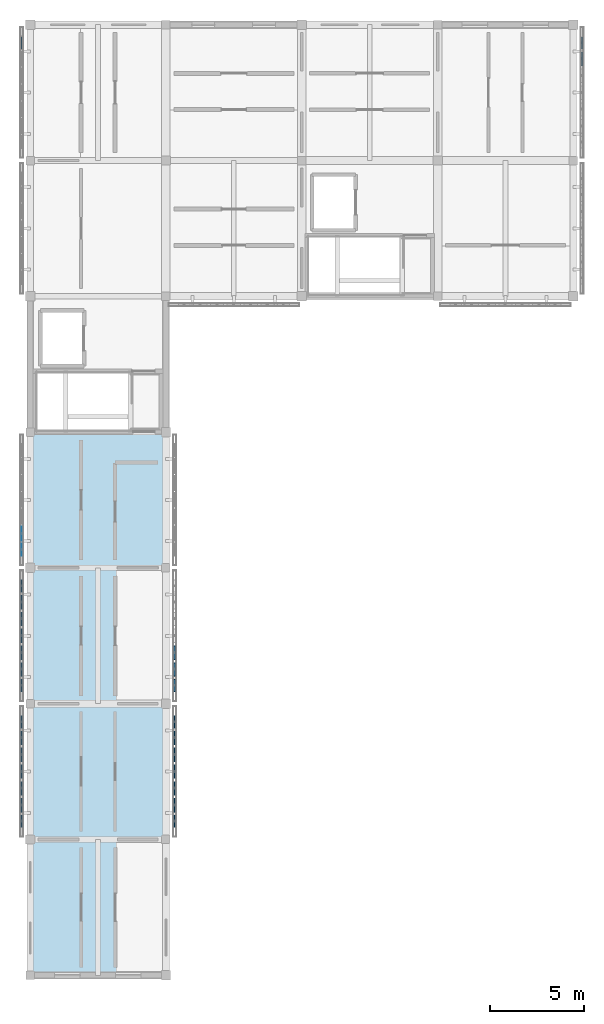
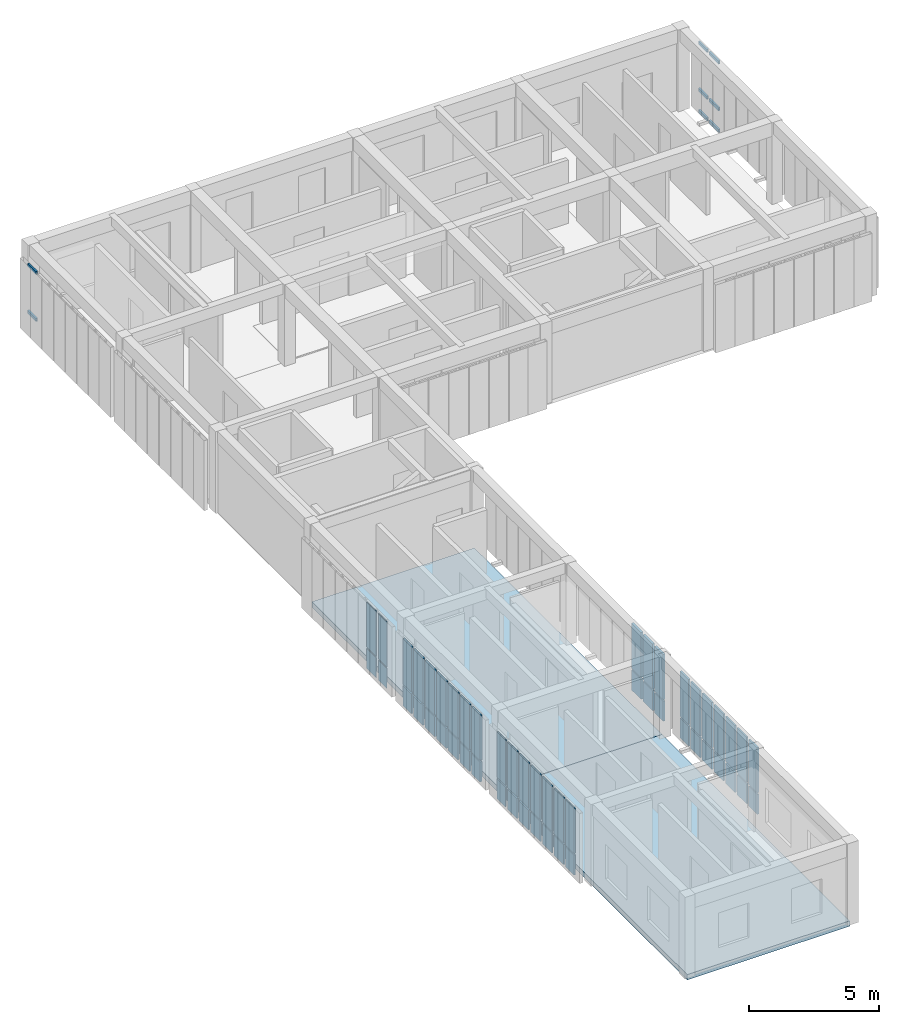
# One storey, part 7 of 14: 52 plates, 8 members, 2 slabs, 7 elements without a shape of their own.
"""IFC4 building model written with IfcOpenShell, lengths in metres."""

from ifc_helpers import new_model, si_unit, direction, frame, origin, origin_2d, place, context, subcontext, project, spatial, polyline, rectangle, hollow_rectangle, outline, extrude, material, layer, layer_set, material_profile, profile_set, type_object, element, aggregate, save


model = new_model("IFC4")

# Units and contexts
model_context = context("Model", 3, precision=1e-05, world=origin(), true_north=direction((0.0, 1.0)))
body_context = subcontext(model_context, "Body", "Model", "MODEL_VIEW")
ifc_project = project(units=[si_unit("LENGTHUNIT", "METRE"), si_unit("AREAUNIT", "SQUARE_METRE"), si_unit("VOLUMEUNIT", "CUBIC_METRE"), si_unit("PLANEANGLEUNIT", "RADIAN"), si_unit("MASSUNIT", "GRAM", prefix="KILO")], contexts=[model_context])

# Site, building, storey
site_placement = place(None, origin())
site = spatial("IfcSite", under=ifc_project, at=site_placement, CompositionType="ELEMENT")
building_placement = place(site_placement, origin())
building = spatial("IfcBuilding", under=site, at=building_placement, Name="Aldebral Square Health Centre", CompositionType="ELEMENT")
storey_placement = place(building_placement, frame((0.0, 0.0, 21.60009765625)))
storey = spatial("IfcBuildingStorey", under=building, at=storey_placement, Name="L05", CompositionType="ELEMENT", Elevation=21.60009765625)

# Curtain wall, members
ifc_material_1 = material(Name="Aluminium and low-E solar glass", Category="aluminium")
curtain_wall_type = type_object("IfcCurtainWallType", Name="CW-FIN-SYS", PredefinedType="USERDEFINED", material=ifc_material_1)
curtain_wall_1_placement = place(storey_placement, origin())
curtain_wall_1 = element("IfcCurtainWall", 1, at=curtain_wall_1_placement, inside=storey, type_object=curtain_wall_type, Name="L05 V4 finned curtain wall L05-V4-00-15-W", ObjectType="SOLAR_CURTAIN_WALL", PredefinedType="USERDEFINED")
ifc_material_2 = material(Name="Anodised aluminium transom", Category="aluminium")
ifc_material_profile = material_profile(ifc_material_2, hollow_rectangle(XDim=0.074951171875, YDim=0.14990234375, WallThickness=0.00390625, at=origin_2d()), Name="CWT 75x150x4")
ifc_profile_set = profile_set([ifc_material_profile], Name="Anodised aluminium transom")
member_type = type_object("IfcMemberType", Name="CWT-STD", PredefinedType="USERDEFINED", material=ifc_profile_set)
member_1_placement = place(storey_placement, frame((-0.4599609375, 114.56005859375, 1.0498046875), z_axis=(0.0, -1.0, 0.0), x_axis=(1.0, 0.0, 0.0)))
member_1 = element("IfcMember", 2, at=member_1_placement, type_object=member_type, Name="CW1 transom 1.2", ObjectType="TRANSOM", PredefinedType="USERDEFINED", context=body_context, shape_type="SweptSolid", body=[
    extrude(hollow_rectangle(XDim=0.074951171875, YDim=0.14990234375, WallThickness=0.00390625, at=origin_2d()), origin(), (0.0, 0.0, 1.0), 0.6513671875),
])
member_2_placement = place(storey_placement, frame((-0.4599609375, 114.56005859375, 3.242431640625), z_axis=(0.0, -1.0, 0.0), x_axis=(1.0, 0.0, 0.0)))
member_2 = element("IfcMember", 3, at=member_2_placement, type_object=member_type, Name="CW1 transom 1.3", ObjectType="TRANSOM", PredefinedType="USERDEFINED", context=body_context, shape_type="SweptSolid", body=[
    extrude(hollow_rectangle(XDim=0.074951171875, YDim=0.14990234375, WallThickness=0.00390625, at=origin_2d()), origin(), (0.0, 0.0, 1.0), 0.6513671875),
])
aggregate(curtain_wall_1, [member_1, member_2])

curtain_wall_2_placement = place(storey_placement, origin())
curtain_wall_2 = element("IfcCurtainWall", 4, at=curtain_wall_2_placement, inside=storey, type_object=curtain_wall_type, Name="L05 V4 finned curtain wall L05-V4-03-15-E", ObjectType="SOLAR_CURTAIN_WALL", PredefinedType="USERDEFINED")
member_3_placement = place(storey_placement, frame((29.260009765625, 113.01708984375, 0.037353515625), z_axis=(0.0, 1.0, 0.0), x_axis=(-1.0, 0.0, 0.0)))
member_3 = element("IfcMember", 5, at=member_3_placement, type_object=member_type, Name="CW1 transom 6.1", ObjectType="TRANSOM", PredefinedType="USERDEFINED", context=body_context, shape_type="SweptSolid", body=[
    extrude(hollow_rectangle(XDim=0.074951171875, YDim=0.14990234375, WallThickness=0.00390625, at=origin_2d()), origin(), (0.0, 0.0, 1.0), 0.7314453125),
])
member_4_placement = place(storey_placement, frame((29.260009765625, 113.01708984375, 1.0498046875), z_axis=(0.0, 1.0, 0.0), x_axis=(-1.0, 0.0, 0.0)))
member_4 = element("IfcMember", 6, at=member_4_placement, type_object=member_type, Name="CW1 transom 6.2", ObjectType="TRANSOM", PredefinedType="USERDEFINED", context=body_context, shape_type="SweptSolid", body=[
    extrude(hollow_rectangle(XDim=0.074951171875, YDim=0.14990234375, WallThickness=0.00390625, at=origin_2d()), origin(), (0.0, 0.0, 1.0), 0.7314453125),
])
member_5_placement = place(storey_placement, frame((29.260009765625, 113.01708984375, 3.242431640625), z_axis=(0.0, 1.0, 0.0), x_axis=(-1.0, 0.0, 0.0)))
member_5 = element("IfcMember", 7, at=member_5_placement, type_object=member_type, Name="CW1 transom 6.3", ObjectType="TRANSOM", PredefinedType="USERDEFINED", context=body_context, shape_type="SweptSolid", body=[
    extrude(hollow_rectangle(XDim=0.074951171875, YDim=0.14990234375, WallThickness=0.00390625, at=origin_2d()), origin(), (0.0, 0.0, 1.0), 0.7314453125),
])
member_6_placement = place(storey_placement, frame((29.260009765625, 113.90869140625, 0.037353515625), z_axis=(0.0, 1.0, 0.0), x_axis=(-1.0, 0.0, 0.0)))
member_6 = element("IfcMember", 8, at=member_6_placement, type_object=member_type, Name="CW1 transom 7.1", ObjectType="TRANSOM", PredefinedType="USERDEFINED", context=body_context, shape_type="SweptSolid", body=[
    extrude(hollow_rectangle(XDim=0.074951171875, YDim=0.14990234375, WallThickness=0.00390625, at=origin_2d()), origin(), (0.0, 0.0, 1.0), 0.6513671875),
])
member_7_placement = place(storey_placement, frame((29.260009765625, 113.90869140625, 1.0498046875), z_axis=(0.0, 1.0, 0.0), x_axis=(-1.0, 0.0, 0.0)))
member_7 = element("IfcMember", 9, at=member_7_placement, type_object=member_type, Name="CW1 transom 7.2", ObjectType="TRANSOM", PredefinedType="USERDEFINED", context=body_context, shape_type="SweptSolid", body=[
    extrude(hollow_rectangle(XDim=0.074951171875, YDim=0.14990234375, WallThickness=0.00390625, at=origin_2d()), origin(), (0.0, 0.0, 1.0), 0.6513671875),
])
member_8_placement = place(storey_placement, frame((29.260009765625, 113.90869140625, 3.242431640625), z_axis=(0.0, 1.0, 0.0), x_axis=(-1.0, 0.0, 0.0)))
member_8 = element("IfcMember", 10, at=member_8_placement, type_object=member_type, Name="CW1 transom 7.3", ObjectType="TRANSOM", PredefinedType="USERDEFINED", context=body_context, shape_type="SweptSolid", body=[
    extrude(hollow_rectangle(XDim=0.074951171875, YDim=0.14990234375, WallThickness=0.00390625, at=origin_2d()), origin(), (0.0, 0.0, 1.0), 0.6513671875),
])
aggregate(curtain_wall_2, [member_3, member_4, member_5, member_6, member_7, member_8])

# Curtain wall, plates
curtain_wall_3_placement = place(storey_placement, origin())
curtain_wall_3 = element("IfcCurtainWall", 11, at=curtain_wall_3_placement, inside=storey, type_object=curtain_wall_type, Name="L05 V4 finned curtain wall L05-V4-00-12-W", ObjectType="SOLAR_CURTAIN_WALL", PredefinedType="USERDEFINED")
ifc_material_3 = material(Name="Solar-control low-E double glass", Category="glass")
ifc_layer_1 = layer(ifc_material_3, 0.02001953125, Name="Solar-control low-E double glass", Category="glass")
ifc_layer_set_1 = layer_set([ifc_layer_1], Name="Solar-control low-E double glass")
plate_type_1 = type_object("IfcPlateType", Name="CWP-GLZ-1", PredefinedType="CURTAIN_PANEL", material=ifc_layer_set_1)
plate_1_placement = place(storey_placement, frame((-0.4599609375, 88.217041015625, 0.074951171875), z_axis=(0.0, 0.0, 1.0), x_axis=(0.0, -1.0, 0.0)))
plate_1 = element("IfcPlate", 12, at=plate_1_placement, type_object=plate_type_1, Name="CW1 panel 6.1", PredefinedType="CURTAIN_PANEL", context=body_context, shape_type="SweptSolid", body=[
    extrude(rectangle(XDim=0.7314453125, YDim=0.02001953125, at=origin_2d()), origin(), (0.0, 0.0, 1.0), 0.9375),
])
plate_2_placement = place(storey_placement, frame((-0.4599609375, 88.217041015625, 1.08740234375), z_axis=(0.0, 0.0, 1.0), x_axis=(0.0, -1.0, 0.0)))
plate_2 = element("IfcPlate", 13, at=plate_2_placement, type_object=plate_type_1, Name="CW1 panel 6.2", PredefinedType="CURTAIN_PANEL", context=body_context, shape_type="SweptSolid", body=[
    extrude(rectangle(XDim=0.7314453125, YDim=0.02001953125, at=origin_2d()), origin(), (0.0, 0.0, 1.0), 2.117431640625),
])
plate_3_placement = place(storey_placement, frame((-0.4599609375, 87.36572265625, 0.074951171875), z_axis=(0.0, 0.0, 1.0), x_axis=(0.0, -1.0, 0.0)))
plate_3 = element("IfcPlate", 14, at=plate_3_placement, type_object=plate_type_1, Name="CW1 panel 7.1", PredefinedType="CURTAIN_PANEL", context=body_context, shape_type="SweptSolid", body=[
    extrude(rectangle(XDim=0.6513671875, YDim=0.02001953125, at=origin_2d()), origin(), (0.0, 0.0, 1.0), 0.9375),
])
plate_4_placement = place(storey_placement, frame((-0.4599609375, 87.36572265625, 1.08740234375), z_axis=(0.0, 0.0, 1.0), x_axis=(0.0, -1.0, 0.0)))
plate_4 = element("IfcPlate", 15, at=plate_4_placement, type_object=plate_type_1, Name="CW1 panel 7.2", PredefinedType="CURTAIN_PANEL", context=body_context, shape_type="SweptSolid", body=[
    extrude(rectangle(XDim=0.6513671875, YDim=0.02001953125, at=origin_2d()), origin(), (0.0, 0.0, 1.0), 2.117431640625),
])
aggregate(curtain_wall_3, [plate_1, plate_2, plate_3, plate_4])

curtain_wall_4_placement = place(storey_placement, origin())
curtain_wall_4 = element("IfcCurtainWall", 16, at=curtain_wall_4_placement, inside=storey, type_object=curtain_wall_type, Name="L05 V4 finned curtain wall L05-V4-00-10-W", ObjectType="SOLAR_CURTAIN_WALL", PredefinedType="USERDEFINED")
ifc_layer_2 = layer(ifc_material_3, 0.06005859375, Name="Solar-control low-E double glass", Category="glass")
ifc_layer_set_2 = layer_set([ifc_layer_2], Name="Solar-control low-E double glass")
plate_type_2 = type_object("IfcPlateType", Name="CWP-GLZ-5", PredefinedType="CURTAIN_PANEL", material=ifc_layer_set_2)
plate_5_placement = place(storey_placement, frame((-0.4599609375, 78.234375, 0.074951171875), z_axis=(0.0, 0.0, 1.0), x_axis=(0.0, -1.0, 0.0)))
plate_5 = element("IfcPlate", 17, at=plate_5_placement, type_object=plate_type_2, Name="CW1 panel 1.1", PredefinedType="CURTAIN_PANEL", context=body_context, shape_type="SweptSolid", body=[
    extrude(rectangle(XDim=0.6513671875, YDim=0.06005859375, at=origin_2d()), origin(), (0.0, 0.0, 1.0), 0.9375),
])
plate_6_placement = place(storey_placement, frame((-0.4599609375, 78.234375, 1.08740234375), z_axis=(0.0, 0.0, 1.0), x_axis=(0.0, -1.0, 0.0)))
plate_6 = element("IfcPlate", 18, at=plate_6_placement, type_object=plate_type_2, Name="CW1 panel 1.2", PredefinedType="CURTAIN_PANEL", context=body_context, shape_type="SweptSolid", body=[
    extrude(rectangle(XDim=0.6513671875, YDim=0.06005859375, at=origin_2d()), origin(), (0.0, 0.0, 1.0), 2.117431640625),
])
plate_7_placement = place(storey_placement, frame((-0.4599609375, 77.3828125, 0.074951171875), z_axis=(0.0, 0.0, 1.0), x_axis=(0.0, -1.0, 0.0)))
plate_7 = element("IfcPlate", 19, at=plate_7_placement, type_object=plate_type_2, Name="CW1 panel 2.1", PredefinedType="CURTAIN_PANEL", context=body_context, shape_type="SweptSolid", body=[
    extrude(rectangle(XDim=0.7314453125, YDim=0.06005859375, at=origin_2d()), origin(), (0.0, 0.0, 1.0), 0.9375),
])
plate_8_placement = place(storey_placement, frame((-0.4599609375, 77.3828125, 1.08740234375), z_axis=(0.0, 0.0, 1.0), x_axis=(0.0, -1.0, 0.0)))
plate_8 = element("IfcPlate", 20, at=plate_8_placement, type_object=plate_type_2, Name="CW1 panel 2.2", PredefinedType="CURTAIN_PANEL", context=body_context, shape_type="SweptSolid", body=[
    extrude(rectangle(XDim=0.7314453125, YDim=0.06005859375, at=origin_2d()), origin(), (0.0, 0.0, 1.0), 2.117431640625),
])
plate_9_placement = place(storey_placement, frame((-0.4599609375, 76.491455078125, 0.074951171875), z_axis=(0.0, 0.0, 1.0), x_axis=(0.0, -1.0, 0.0)))
plate_9 = element("IfcPlate", 21, at=plate_9_placement, type_object=plate_type_2, Name="CW1 panel 3.1", PredefinedType="CURTAIN_PANEL", context=body_context, shape_type="SweptSolid", body=[
    extrude(rectangle(XDim=0.7314453125, YDim=0.06005859375, at=origin_2d()), origin(), (0.0, 0.0, 1.0), 0.9375),
])
plate_10_placement = place(storey_placement, frame((-0.4599609375, 76.491455078125, 1.08740234375), z_axis=(0.0, 0.0, 1.0), x_axis=(0.0, -1.0, 0.0)))
plate_10 = element("IfcPlate", 22, at=plate_10_placement, type_object=plate_type_2, Name="CW1 panel 3.2", PredefinedType="CURTAIN_PANEL", context=body_context, shape_type="SweptSolid", body=[
    extrude(rectangle(XDim=0.7314453125, YDim=0.06005859375, at=origin_2d()), origin(), (0.0, 0.0, 1.0), 2.117431640625),
])
plate_11_placement = place(storey_placement, frame((-0.4599609375, 75.60009765625, 0.074951171875), z_axis=(0.0, 0.0, 1.0), x_axis=(0.0, -1.0, 0.0)))
plate_11 = element("IfcPlate", 23, at=plate_11_placement, type_object=plate_type_2, Name="CW1 panel 4.1", PredefinedType="CURTAIN_PANEL", context=body_context, shape_type="SweptSolid", body=[
    extrude(rectangle(XDim=0.7314453125, YDim=0.06005859375, at=origin_2d()), origin(), (0.0, 0.0, 1.0), 0.9375),
])
plate_12_placement = place(storey_placement, frame((-0.4599609375, 75.60009765625, 1.08740234375), z_axis=(0.0, 0.0, 1.0), x_axis=(0.0, -1.0, 0.0)))
plate_12 = element("IfcPlate", 24, at=plate_12_placement, type_object=plate_type_2, Name="CW1 panel 4.2", PredefinedType="CURTAIN_PANEL", context=body_context, shape_type="SweptSolid", body=[
    extrude(rectangle(XDim=0.7314453125, YDim=0.06005859375, at=origin_2d()), origin(), (0.0, 0.0, 1.0), 2.117431640625),
])
plate_13_placement = place(storey_placement, frame((-0.4599609375, 74.70849609375, 0.074951171875), z_axis=(0.0, 0.0, 1.0), x_axis=(0.0, -1.0, 0.0)))
plate_13 = element("IfcPlate", 25, at=plate_13_placement, type_object=plate_type_2, Name="CW1 panel 5.1", PredefinedType="CURTAIN_PANEL", context=body_context, shape_type="SweptSolid", body=[
    extrude(rectangle(XDim=0.7314453125, YDim=0.06005859375, at=origin_2d()), origin(), (0.0, 0.0, 1.0), 0.9375),
])
plate_14_placement = place(storey_placement, frame((-0.4599609375, 74.70849609375, 1.08740234375), z_axis=(0.0, 0.0, 1.0), x_axis=(0.0, -1.0, 0.0)))
plate_14 = element("IfcPlate", 26, at=plate_14_placement, type_object=plate_type_2, Name="CW1 panel 5.2", PredefinedType="CURTAIN_PANEL", context=body_context, shape_type="SweptSolid", body=[
    extrude(rectangle(XDim=0.7314453125, YDim=0.06005859375, at=origin_2d()), origin(), (0.0, 0.0, 1.0), 2.117431640625),
])
plate_15_placement = place(storey_placement, frame((-0.4599609375, 73.817138671875, 0.074951171875), z_axis=(0.0, 0.0, 1.0), x_axis=(0.0, -1.0, 0.0)))
plate_15 = element("IfcPlate", 27, at=plate_15_placement, type_object=plate_type_2, Name="CW1 panel 6.1", PredefinedType="CURTAIN_PANEL", context=body_context, shape_type="SweptSolid", body=[
    extrude(rectangle(XDim=0.7314453125, YDim=0.06005859375, at=origin_2d()), origin(), (0.0, 0.0, 1.0), 0.9375),
])
plate_16_placement = place(storey_placement, frame((-0.4599609375, 73.817138671875, 1.08740234375), z_axis=(0.0, 0.0, 1.0), x_axis=(0.0, -1.0, 0.0)))
plate_16 = element("IfcPlate", 28, at=plate_16_placement, type_object=plate_type_2, Name="CW1 panel 6.2", PredefinedType="CURTAIN_PANEL", context=body_context, shape_type="SweptSolid", body=[
    extrude(rectangle(XDim=0.7314453125, YDim=0.06005859375, at=origin_2d()), origin(), (0.0, 0.0, 1.0), 2.117431640625),
])
plate_17_placement = place(storey_placement, frame((-0.4599609375, 72.9658203125, 0.074951171875), z_axis=(0.0, 0.0, 1.0), x_axis=(0.0, -1.0, 0.0)))
plate_17 = element("IfcPlate", 29, at=plate_17_placement, type_object=plate_type_2, Name="CW1 panel 7.1", PredefinedType="CURTAIN_PANEL", context=body_context, shape_type="SweptSolid", body=[
    extrude(rectangle(XDim=0.6513671875, YDim=0.06005859375, at=origin_2d()), origin(), (0.0, 0.0, 1.0), 0.9375),
])
plate_18_placement = place(storey_placement, frame((-0.4599609375, 72.9658203125, 1.08740234375), z_axis=(0.0, 0.0, 1.0), x_axis=(0.0, -1.0, 0.0)))
plate_18 = element("IfcPlate", 30, at=plate_18_placement, type_object=plate_type_2, Name="CW1 panel 7.2", PredefinedType="CURTAIN_PANEL", context=body_context, shape_type="SweptSolid", body=[
    extrude(rectangle(XDim=0.6513671875, YDim=0.06005859375, at=origin_2d()), origin(), (0.0, 0.0, 1.0), 2.117431640625),
])
aggregate(curtain_wall_4, [plate_5, plate_6, plate_7, plate_8, plate_9, plate_10, plate_11, plate_12, plate_13, plate_14, plate_15, plate_16, plate_17, plate_18])

curtain_wall_5_placement = place(storey_placement, origin())
curtain_wall_5 = element("IfcCurtainWall", 31, at=curtain_wall_5_placement, inside=storey, type_object=curtain_wall_type, Name="L05 V4 finned curtain wall L05-V4-00-10-E", ObjectType="SOLAR_CURTAIN_WALL", PredefinedType="USERDEFINED")
ifc_layer_3 = layer(ifc_material_3, 0.070068359375, Name="Solar-control low-E double glass", Category="glass")
ifc_layer_set_3 = layer_set([ifc_layer_3], Name="Solar-control low-E double glass")
plate_type_3 = type_object("IfcPlateType", Name="CWP-GLZ-6", PredefinedType="CURTAIN_PANEL", material=ifc_layer_set_3)
plate_19_placement = place(storey_placement, frame((7.659912109375, 72.9658203125, 0.074951171875), z_axis=(0.0, 0.0, 1.0), x_axis=(0.0, 1.0, 0.0)))
plate_19 = element("IfcPlate", 32, at=plate_19_placement, type_object=plate_type_3, Name="CW1 panel 1.1", PredefinedType="CURTAIN_PANEL", context=body_context, shape_type="SweptSolid", body=[
    extrude(rectangle(XDim=0.6513671875, YDim=0.070068359375, at=origin_2d()), origin(), (0.0, 0.0, 1.0), 0.9375),
])
plate_20_placement = place(storey_placement, frame((7.659912109375, 72.9658203125, 1.08740234375), z_axis=(0.0, 0.0, 1.0), x_axis=(0.0, 1.0, 0.0)))
plate_20 = element("IfcPlate", 33, at=plate_20_placement, type_object=plate_type_3, Name="CW1 panel 1.2", PredefinedType="CURTAIN_PANEL", context=body_context, shape_type="SweptSolid", body=[
    extrude(rectangle(XDim=0.6513671875, YDim=0.070068359375, at=origin_2d()), origin(), (0.0, 0.0, 1.0), 2.117431640625),
])
plate_21_placement = place(storey_placement, frame((7.659912109375, 73.817138671875, 0.074951171875), z_axis=(0.0, 0.0, 1.0), x_axis=(0.0, 1.0, 0.0)))
plate_21 = element("IfcPlate", 34, at=plate_21_placement, type_object=plate_type_3, Name="CW1 panel 2.1", PredefinedType="CURTAIN_PANEL", context=body_context, shape_type="SweptSolid", body=[
    extrude(rectangle(XDim=0.7314453125, YDim=0.070068359375, at=origin_2d()), origin(), (0.0, 0.0, 1.0), 0.9375),
])
plate_22_placement = place(storey_placement, frame((7.659912109375, 73.817138671875, 1.08740234375), z_axis=(0.0, 0.0, 1.0), x_axis=(0.0, 1.0, 0.0)))
plate_22 = element("IfcPlate", 35, at=plate_22_placement, type_object=plate_type_3, Name="CW1 panel 2.2", PredefinedType="CURTAIN_PANEL", context=body_context, shape_type="SweptSolid", body=[
    extrude(rectangle(XDim=0.7314453125, YDim=0.070068359375, at=origin_2d()), origin(), (0.0, 0.0, 1.0), 2.117431640625),
])
plate_23_placement = place(storey_placement, frame((7.659912109375, 74.70849609375, 0.074951171875), z_axis=(0.0, 0.0, 1.0), x_axis=(0.0, 1.0, 0.0)))
plate_23 = element("IfcPlate", 36, at=plate_23_placement, type_object=plate_type_3, Name="CW1 panel 3.1", PredefinedType="CURTAIN_PANEL", context=body_context, shape_type="SweptSolid", body=[
    extrude(rectangle(XDim=0.7314453125, YDim=0.070068359375, at=origin_2d()), origin(), (0.0, 0.0, 1.0), 0.9375),
])
plate_24_placement = place(storey_placement, frame((7.659912109375, 74.70849609375, 1.08740234375), z_axis=(0.0, 0.0, 1.0), x_axis=(0.0, 1.0, 0.0)))
plate_24 = element("IfcPlate", 37, at=plate_24_placement, type_object=plate_type_3, Name="CW1 panel 3.2", PredefinedType="CURTAIN_PANEL", context=body_context, shape_type="SweptSolid", body=[
    extrude(rectangle(XDim=0.7314453125, YDim=0.070068359375, at=origin_2d()), origin(), (0.0, 0.0, 1.0), 2.117431640625),
])
plate_25_placement = place(storey_placement, frame((7.659912109375, 75.60009765625, 0.074951171875), z_axis=(0.0, 0.0, 1.0), x_axis=(0.0, 1.0, 0.0)))
plate_25 = element("IfcPlate", 38, at=plate_25_placement, type_object=plate_type_3, Name="CW1 panel 4.1", PredefinedType="CURTAIN_PANEL", context=body_context, shape_type="SweptSolid", body=[
    extrude(rectangle(XDim=0.7314453125, YDim=0.070068359375, at=origin_2d()), origin(), (0.0, 0.0, 1.0), 0.9375),
])
plate_26_placement = place(storey_placement, frame((7.659912109375, 75.60009765625, 1.08740234375), z_axis=(0.0, 0.0, 1.0), x_axis=(0.0, 1.0, 0.0)))
plate_26 = element("IfcPlate", 39, at=plate_26_placement, type_object=plate_type_3, Name="CW1 panel 4.2", PredefinedType="CURTAIN_PANEL", context=body_context, shape_type="SweptSolid", body=[
    extrude(rectangle(XDim=0.7314453125, YDim=0.070068359375, at=origin_2d()), origin(), (0.0, 0.0, 1.0), 2.117431640625),
])
plate_27_placement = place(storey_placement, frame((7.659912109375, 76.491455078125, 0.074951171875), z_axis=(0.0, 0.0, 1.0), x_axis=(0.0, 1.0, 0.0)))
plate_27 = element("IfcPlate", 40, at=plate_27_placement, type_object=plate_type_3, Name="CW1 panel 5.1", PredefinedType="CURTAIN_PANEL", context=body_context, shape_type="SweptSolid", body=[
    extrude(rectangle(XDim=0.7314453125, YDim=0.070068359375, at=origin_2d()), origin(), (0.0, 0.0, 1.0), 0.9375),
])
plate_28_placement = place(storey_placement, frame((7.659912109375, 76.491455078125, 1.08740234375), z_axis=(0.0, 0.0, 1.0), x_axis=(0.0, 1.0, 0.0)))
plate_28 = element("IfcPlate", 41, at=plate_28_placement, type_object=plate_type_3, Name="CW1 panel 5.2", PredefinedType="CURTAIN_PANEL", context=body_context, shape_type="SweptSolid", body=[
    extrude(rectangle(XDim=0.7314453125, YDim=0.070068359375, at=origin_2d()), origin(), (0.0, 0.0, 1.0), 2.117431640625),
])
plate_29_placement = place(storey_placement, frame((7.659912109375, 77.3828125, 0.074951171875), z_axis=(0.0, 0.0, 1.0), x_axis=(0.0, 1.0, 0.0)))
plate_29 = element("IfcPlate", 42, at=plate_29_placement, type_object=plate_type_3, Name="CW1 panel 6.1", PredefinedType="CURTAIN_PANEL", context=body_context, shape_type="SweptSolid", body=[
    extrude(rectangle(XDim=0.7314453125, YDim=0.070068359375, at=origin_2d()), origin(), (0.0, 0.0, 1.0), 0.9375),
])
plate_30_placement = place(storey_placement, frame((7.659912109375, 77.3828125, 1.08740234375), z_axis=(0.0, 0.0, 1.0), x_axis=(0.0, 1.0, 0.0)))
plate_30 = element("IfcPlate", 43, at=plate_30_placement, type_object=plate_type_3, Name="CW1 panel 6.2", PredefinedType="CURTAIN_PANEL", context=body_context, shape_type="SweptSolid", body=[
    extrude(rectangle(XDim=0.7314453125, YDim=0.070068359375, at=origin_2d()), origin(), (0.0, 0.0, 1.0), 2.117431640625),
])
plate_31_placement = place(storey_placement, frame((7.659912109375, 78.234375, 0.074951171875), z_axis=(0.0, 0.0, 1.0), x_axis=(0.0, 1.0, 0.0)))
plate_31 = element("IfcPlate", 44, at=plate_31_placement, type_object=plate_type_3, Name="CW1 panel 7.1", PredefinedType="CURTAIN_PANEL", context=body_context, shape_type="SweptSolid", body=[
    extrude(rectangle(XDim=0.6513671875, YDim=0.070068359375, at=origin_2d()), origin(), (0.0, 0.0, 1.0), 0.9375),
])
plate_32_placement = place(storey_placement, frame((7.659912109375, 78.234375, 1.08740234375), z_axis=(0.0, 0.0, 1.0), x_axis=(0.0, 1.0, 0.0)))
plate_32 = element("IfcPlate", 45, at=plate_32_placement, type_object=plate_type_3, Name="CW1 panel 7.2", PredefinedType="CURTAIN_PANEL", context=body_context, shape_type="SweptSolid", body=[
    extrude(rectangle(XDim=0.6513671875, YDim=0.070068359375, at=origin_2d()), origin(), (0.0, 0.0, 1.0), 2.117431640625),
])
aggregate(curtain_wall_5, [plate_19, plate_20, plate_21, plate_22, plate_23, plate_24, plate_25, plate_26, plate_27, plate_28, plate_29, plate_30, plate_31, plate_32])

curtain_wall_6_placement = place(storey_placement, origin())
curtain_wall_6 = element("IfcCurtainWall", 46, at=curtain_wall_6_placement, inside=storey, type_object=curtain_wall_type, Name="L05 V4 finned curtain wall L05-V4-00-11-W", ObjectType="SOLAR_CURTAIN_WALL", PredefinedType="USERDEFINED")
ifc_layer_4 = layer(ifc_material_3, 0.080078125, Name="Solar-control low-E double glass", Category="glass")
ifc_layer_set_4 = layer_set([ifc_layer_4], Name="Solar-control low-E double glass")
plate_type_4 = type_object("IfcPlateType", Name="CWP-GLZ-7", PredefinedType="CURTAIN_PANEL", material=ifc_layer_set_4)
plate_33_placement = place(storey_placement, frame((-0.4599609375, 85.434326171875, 0.074951171875), z_axis=(0.0, 0.0, 1.0), x_axis=(0.0, -1.0, 0.0)))
plate_33 = element("IfcPlate", 47, at=plate_33_placement, type_object=plate_type_4, Name="CW1 panel 1.1", PredefinedType="CURTAIN_PANEL", context=body_context, shape_type="SweptSolid", body=[
    extrude(rectangle(XDim=0.6513671875, YDim=0.080078125, at=origin_2d()), origin(), (0.0, 0.0, 1.0), 0.9375),
])
plate_34_placement = place(storey_placement, frame((-0.4599609375, 85.434326171875, 1.08740234375), z_axis=(0.0, 0.0, 1.0), x_axis=(0.0, -1.0, 0.0)))
plate_34 = element("IfcPlate", 48, at=plate_34_placement, type_object=plate_type_4, Name="CW1 panel 1.2", PredefinedType="CURTAIN_PANEL", context=body_context, shape_type="SweptSolid", body=[
    extrude(rectangle(XDim=0.6513671875, YDim=0.080078125, at=origin_2d()), origin(), (0.0, 0.0, 1.0), 2.117431640625),
])
plate_35_placement = place(storey_placement, frame((-0.4599609375, 84.582763671875, 0.074951171875), z_axis=(0.0, 0.0, 1.0), x_axis=(0.0, -1.0, 0.0)))
plate_35 = element("IfcPlate", 49, at=plate_35_placement, type_object=plate_type_4, Name="CW1 panel 2.1", PredefinedType="CURTAIN_PANEL", context=body_context, shape_type="SweptSolid", body=[
    extrude(rectangle(XDim=0.7314453125, YDim=0.080078125, at=origin_2d()), origin(), (0.0, 0.0, 1.0), 0.9375),
])
plate_36_placement = place(storey_placement, frame((-0.4599609375, 84.582763671875, 1.08740234375), z_axis=(0.0, 0.0, 1.0), x_axis=(0.0, -1.0, 0.0)))
plate_36 = element("IfcPlate", 50, at=plate_36_placement, type_object=plate_type_4, Name="CW1 panel 2.2", PredefinedType="CURTAIN_PANEL", context=body_context, shape_type="SweptSolid", body=[
    extrude(rectangle(XDim=0.7314453125, YDim=0.080078125, at=origin_2d()), origin(), (0.0, 0.0, 1.0), 2.117431640625),
])
plate_37_placement = place(storey_placement, frame((-0.4599609375, 83.69140625, 0.074951171875), z_axis=(0.0, 0.0, 1.0), x_axis=(0.0, -1.0, 0.0)))
plate_37 = element("IfcPlate", 51, at=plate_37_placement, type_object=plate_type_4, Name="CW1 panel 3.1", PredefinedType="CURTAIN_PANEL", context=body_context, shape_type="SweptSolid", body=[
    extrude(rectangle(XDim=0.7314453125, YDim=0.080078125, at=origin_2d()), origin(), (0.0, 0.0, 1.0), 0.9375),
])
plate_38_placement = place(storey_placement, frame((-0.4599609375, 83.69140625, 1.08740234375), z_axis=(0.0, 0.0, 1.0), x_axis=(0.0, -1.0, 0.0)))
plate_38 = element("IfcPlate", 52, at=plate_38_placement, type_object=plate_type_4, Name="CW1 panel 3.2", PredefinedType="CURTAIN_PANEL", context=body_context, shape_type="SweptSolid", body=[
    extrude(rectangle(XDim=0.7314453125, YDim=0.080078125, at=origin_2d()), origin(), (0.0, 0.0, 1.0), 2.117431640625),
])
plate_39_placement = place(storey_placement, frame((-0.4599609375, 82.800048828125, 0.074951171875), z_axis=(0.0, 0.0, 1.0), x_axis=(0.0, -1.0, 0.0)))
plate_39 = element("IfcPlate", 53, at=plate_39_placement, type_object=plate_type_4, Name="CW1 panel 4.1", PredefinedType="CURTAIN_PANEL", context=body_context, shape_type="SweptSolid", body=[
    extrude(rectangle(XDim=0.7314453125, YDim=0.080078125, at=origin_2d()), origin(), (0.0, 0.0, 1.0), 0.9375),
])
plate_40_placement = place(storey_placement, frame((-0.4599609375, 82.800048828125, 1.08740234375), z_axis=(0.0, 0.0, 1.0), x_axis=(0.0, -1.0, 0.0)))
plate_40 = element("IfcPlate", 54, at=plate_40_placement, type_object=plate_type_4, Name="CW1 panel 4.2", PredefinedType="CURTAIN_PANEL", context=body_context, shape_type="SweptSolid", body=[
    extrude(rectangle(XDim=0.7314453125, YDim=0.080078125, at=origin_2d()), origin(), (0.0, 0.0, 1.0), 2.117431640625),
])
plate_41_placement = place(storey_placement, frame((-0.4599609375, 81.90869140625, 0.074951171875), z_axis=(0.0, 0.0, 1.0), x_axis=(0.0, -1.0, 0.0)))
plate_41 = element("IfcPlate", 55, at=plate_41_placement, type_object=plate_type_4, Name="CW1 panel 5.1", PredefinedType="CURTAIN_PANEL", context=body_context, shape_type="SweptSolid", body=[
    extrude(rectangle(XDim=0.7314453125, YDim=0.080078125, at=origin_2d()), origin(), (0.0, 0.0, 1.0), 0.9375),
])
plate_42_placement = place(storey_placement, frame((-0.4599609375, 81.90869140625, 1.08740234375), z_axis=(0.0, 0.0, 1.0), x_axis=(0.0, -1.0, 0.0)))
plate_42 = element("IfcPlate", 56, at=plate_42_placement, type_object=plate_type_4, Name="CW1 panel 5.2", PredefinedType="CURTAIN_PANEL", context=body_context, shape_type="SweptSolid", body=[
    extrude(rectangle(XDim=0.7314453125, YDim=0.080078125, at=origin_2d()), origin(), (0.0, 0.0, 1.0), 2.117431640625),
])
plate_43_placement = place(storey_placement, frame((-0.4599609375, 81.01708984375, 0.074951171875), z_axis=(0.0, 0.0, 1.0), x_axis=(0.0, -1.0, 0.0)))
plate_43 = element("IfcPlate", 57, at=plate_43_placement, type_object=plate_type_4, Name="CW1 panel 6.1", PredefinedType="CURTAIN_PANEL", context=body_context, shape_type="SweptSolid", body=[
    extrude(rectangle(XDim=0.7314453125, YDim=0.080078125, at=origin_2d()), origin(), (0.0, 0.0, 1.0), 0.9375),
])
plate_44_placement = place(storey_placement, frame((-0.4599609375, 81.01708984375, 1.08740234375), z_axis=(0.0, 0.0, 1.0), x_axis=(0.0, -1.0, 0.0)))
plate_44 = element("IfcPlate", 58, at=plate_44_placement, type_object=plate_type_4, Name="CW1 panel 6.2", PredefinedType="CURTAIN_PANEL", context=body_context, shape_type="SweptSolid", body=[
    extrude(rectangle(XDim=0.7314453125, YDim=0.080078125, at=origin_2d()), origin(), (0.0, 0.0, 1.0), 2.117431640625),
])
plate_45_placement = place(storey_placement, frame((-0.4599609375, 80.165771484375, 0.074951171875), z_axis=(0.0, 0.0, 1.0), x_axis=(0.0, -1.0, 0.0)))
plate_45 = element("IfcPlate", 59, at=plate_45_placement, type_object=plate_type_4, Name="CW1 panel 7.1", PredefinedType="CURTAIN_PANEL", context=body_context, shape_type="SweptSolid", body=[
    extrude(rectangle(XDim=0.6513671875, YDim=0.080078125, at=origin_2d()), origin(), (0.0, 0.0, 1.0), 0.9375),
])
plate_46_placement = place(storey_placement, frame((-0.4599609375, 80.165771484375, 1.08740234375), z_axis=(0.0, 0.0, 1.0), x_axis=(0.0, -1.0, 0.0)))
plate_46 = element("IfcPlate", 60, at=plate_46_placement, type_object=plate_type_4, Name="CW1 panel 7.2", PredefinedType="CURTAIN_PANEL", context=body_context, shape_type="SweptSolid", body=[
    extrude(rectangle(XDim=0.6513671875, YDim=0.080078125, at=origin_2d()), origin(), (0.0, 0.0, 1.0), 2.117431640625),
])
aggregate(curtain_wall_6, [plate_33, plate_34, plate_35, plate_36, plate_37, plate_38, plate_39, plate_40, plate_41, plate_42, plate_43, plate_44, plate_45, plate_46])

curtain_wall_7_placement = place(storey_placement, origin())
curtain_wall_7 = element("IfcCurtainWall", 61, at=curtain_wall_7_placement, inside=storey, type_object=curtain_wall_type, Name="L05 V4 finned curtain wall L05-V4-00-11-E", ObjectType="SOLAR_CURTAIN_WALL", PredefinedType="USERDEFINED")
ifc_layer_5 = layer(ifc_material_3, 0.090087890625, Name="Solar-control low-E double glass", Category="glass")
ifc_layer_set_5 = layer_set([ifc_layer_5], Name="Solar-control low-E double glass")
plate_type_5 = type_object("IfcPlateType", Name="CWP-GLZ-8", PredefinedType="CURTAIN_PANEL", material=ifc_layer_set_5)
plate_47_placement = place(storey_placement, frame((7.659912109375, 80.165771484375, 0.074951171875), z_axis=(0.0, 0.0, 1.0), x_axis=(0.0, 1.0, 0.0)))
plate_47 = element("IfcPlate", 62, at=plate_47_placement, type_object=plate_type_5, Name="CW1 panel 1.1", PredefinedType="CURTAIN_PANEL", context=body_context, shape_type="SweptSolid", body=[
    extrude(rectangle(XDim=0.6513671875, YDim=0.090087890625, at=origin_2d()), origin(), (0.0, 0.0, 1.0), 0.9375),
])
plate_48_placement = place(storey_placement, frame((7.659912109375, 80.165771484375, 1.08740234375), z_axis=(0.0, 0.0, 1.0), x_axis=(0.0, 1.0, 0.0)))
plate_48 = element("IfcPlate", 63, at=plate_48_placement, type_object=plate_type_5, Name="CW1 panel 1.2", PredefinedType="CURTAIN_PANEL", context=body_context, shape_type="SweptSolid", body=[
    extrude(rectangle(XDim=0.6513671875, YDim=0.090087890625, at=origin_2d()), origin(), (0.0, 0.0, 1.0), 2.117431640625),
])
plate_49_placement = place(storey_placement, frame((7.659912109375, 81.01708984375, 0.074951171875), z_axis=(0.0, 0.0, 1.0), x_axis=(0.0, 1.0, 0.0)))
plate_49 = element("IfcPlate", 64, at=plate_49_placement, type_object=plate_type_5, Name="CW1 panel 2.1", PredefinedType="CURTAIN_PANEL", context=body_context, shape_type="SweptSolid", body=[
    extrude(rectangle(XDim=0.7314453125, YDim=0.090087890625, at=origin_2d()), origin(), (0.0, 0.0, 1.0), 0.9375),
])
plate_50_placement = place(storey_placement, frame((7.659912109375, 81.01708984375, 1.08740234375), z_axis=(0.0, 0.0, 1.0), x_axis=(0.0, 1.0, 0.0)))
plate_50 = element("IfcPlate", 65, at=plate_50_placement, type_object=plate_type_5, Name="CW1 panel 2.2", PredefinedType="CURTAIN_PANEL", context=body_context, shape_type="SweptSolid", body=[
    extrude(rectangle(XDim=0.7314453125, YDim=0.090087890625, at=origin_2d()), origin(), (0.0, 0.0, 1.0), 2.117431640625),
])
plate_51_placement = place(storey_placement, frame((7.659912109375, 81.90869140625, 0.074951171875), z_axis=(0.0, 0.0, 1.0), x_axis=(0.0, 1.0, 0.0)))
plate_51 = element("IfcPlate", 66, at=plate_51_placement, type_object=plate_type_5, Name="CW1 panel 3.1", PredefinedType="CURTAIN_PANEL", context=body_context, shape_type="SweptSolid", body=[
    extrude(rectangle(XDim=0.7314453125, YDim=0.090087890625, at=origin_2d()), origin(), (0.0, 0.0, 1.0), 0.9375),
])
plate_52_placement = place(storey_placement, frame((7.659912109375, 81.90869140625, 1.08740234375), z_axis=(0.0, 0.0, 1.0), x_axis=(0.0, 1.0, 0.0)))
plate_52 = element("IfcPlate", 67, at=plate_52_placement, type_object=plate_type_5, Name="CW1 panel 3.2", PredefinedType="CURTAIN_PANEL", context=body_context, shape_type="SweptSolid", body=[
    extrude(rectangle(XDim=0.7314453125, YDim=0.090087890625, at=origin_2d()), origin(), (0.0, 0.0, 1.0), 2.117431640625),
])
aggregate(curtain_wall_7, [plate_47, plate_48, plate_49, plate_50, plate_51, plate_52])

# Slabs
ifc_material_4 = material(Name="Concrete C35/45", Category="concrete")
ifc_layer_6 = layer(ifc_material_4, 0.25, Name="Concrete C35/45", Category="concrete")
ifc_layer_set_6 = layer_set([ifc_layer_6], Name="Concrete C35/45")
slab_type = type_object("IfcSlabType", Name="SL-FLR-250", PredefinedType="FLOOR", material=ifc_layer_set_6)
slab_1_placement = place(storey_placement, frame((0.0, 0.0, -0.25)))
element("IfcSlab", 68, at=slab_1_placement, inside=storey, type_object=slab_type, Name="L05 V4 floor slab 1", PredefinedType="FLOOR", context=body_context, shape_type="SweptSolid", body=[
    extrude(outline(polyline([(0.0, 64.800048828125), (0.0, 72.0), (0.0, 79.199951171875), (7.199951171875, 79.199951171875), (7.199951171875, 72.0), (7.199951171875, 64.800048828125), (0.0, 64.800048828125)])), origin(), (0.0, 0.0, 1.0), 0.25),
])
slab_2_placement = place(storey_placement, frame((0.0, 0.0, -0.25)))
element("IfcSlab", 69, at=slab_2_placement, inside=storey, type_object=slab_type, Name="L05 V4 floor slab 2", PredefinedType="FLOOR", context=body_context, shape_type="SweptSolid", body=[
    extrude(outline(polyline([(0.0, 79.199951171875), (0.0, 86.39990234375), (0.0, 93.60009765625), (7.199951171875, 93.60009765625), (7.199951171875, 86.39990234375), (7.199951171875, 79.199951171875), (0.0, 79.199951171875)])), origin(), (0.0, 0.0, 1.0), 0.25),
])

save(model, "model.ifc")
